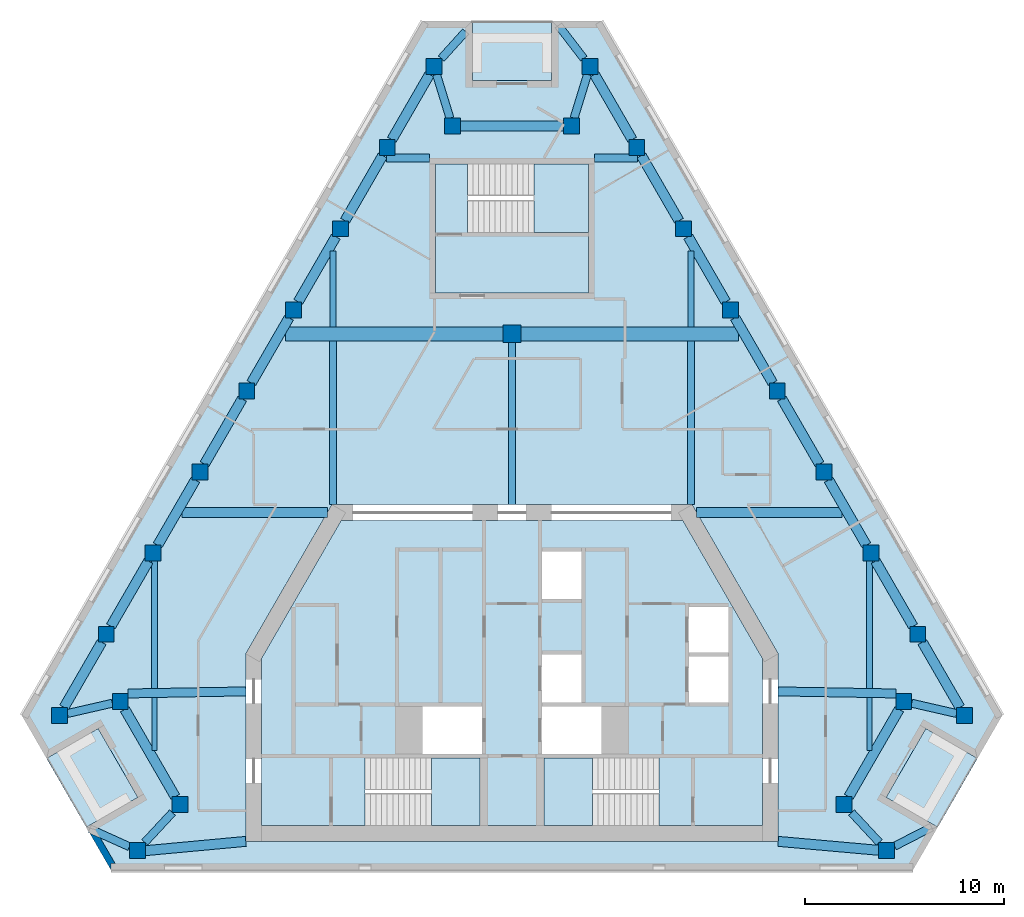
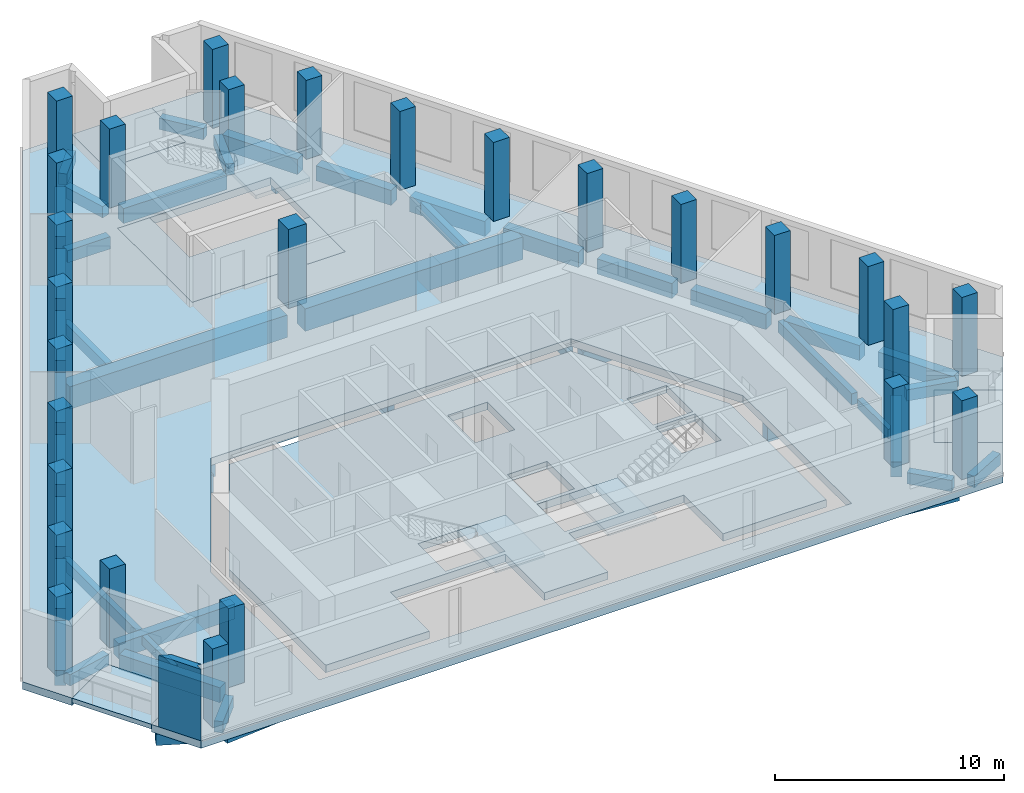
# One storey, part 1 of 8: 48 beams, 27 columns, 9 slabs, 1 wall, 3 elements without a shape of their own.
"""IFC4 building model written with IfcOpenShell, lengths in metres."""

import ifcopenshell
import ifcopenshell.guid

model = None  # the IFC model being written
_history = None  # IfcOwnerHistory: only IFC2X3 demands one
_inside = {}  # id of a spatial element -> (the spatial element, [elements in it])
_under = {}  # id of a project, library or spatial element -> (it, [spatial elements below it])
_declared = {}  # id of a project -> (the project, [libraries it declares])
_typed = {}  # id of a type object -> (the type object, [elements of that type])
_made_of = {}  # id of a material, layer set ... -> (it, [elements and type objects made of it])


def new_model(schema):
    """Start an empty IFC model of exactly this schema.

    Asked for "IFC4X3", IfcOpenShell would pick the latest addendum, in which some entities
    have other attributes; the version numbers below select the first issue.
    IFC2X3 requires an IfcOwnerHistory on every rooted entity: one is made here for all.
    """
    global model, _history
    if schema == "IFC4X3":
        model = ifcopenshell.file(schema_version=(4, 3, 0, 0))
    else:
        model = ifcopenshell.file(schema=schema)
    _inside.clear()
    _under.clear()
    _declared.clear()
    _typed.clear()
    _made_of.clear()
    _history = None
    if model.schema == "IFC2X3":
        org = make("IfcOrganization", Name="unknown")
        user = make(
            "IfcPersonAndOrganization",
            ThePerson=make("IfcPerson", FamilyName="unknown"),
            TheOrganization=org,
        )
        app = make(
            "IfcApplication",
            ApplicationDeveloper=org,
            Version="unknown",
            ApplicationFullName="unknown",
            ApplicationIdentifier="unknown",
        )
        _history = make(
            "IfcOwnerHistory",
            OwningUser=user,
            OwningApplication=app,
            ChangeAction="ADDED",
            CreationDate=0,
        )
    return model


def make(cls, **values):
    """One entity of the class cls with the attributes given. An attribute that is None is left unset."""
    return model.create_entity(
        cls, **{name: value for name, value in values.items() if value is not None}
    )


def rooted(cls, **values):
    """An entity with a GlobalId (a new one), such as an element, a storey or a relation."""
    return make(cls, GlobalId=ifcopenshell.guid.new(), OwnerHistory=_history, **values)


def si_unit(unit_type, name, prefix=None):
    """IfcSIUnit, for example si_unit("LENGTHUNIT", "METRE", prefix="MILLI")."""
    return make("IfcSIUnit", UnitType=unit_type, Prefix=prefix, Name=name)


def assignment(units):
    """IfcUnitAssignment: the units of a project."""
    return None if units is None else make("IfcUnitAssignment", Units=units)


def point(xyz):
    """IfcCartesianPoint."""
    return None if xyz is None else make("IfcCartesianPoint", Coordinates=xyz)


def direction(xyz):
    """IfcDirection."""
    return None if xyz is None else make("IfcDirection", DirectionRatios=xyz)


def frame(location, z_axis=None, x_axis=None):
    """IfcAxis2Placement3D, a coordinate frame: its origin and axes. An axis left out is left unset."""
    return make(
        "IfcAxis2Placement3D",
        Location=point(location),
        Axis=direction(z_axis),
        RefDirection=direction(x_axis),
    )


def frame_2d(location, x_axis=None):
    """IfcAxis2Placement2D, a coordinate frame in the plane: its origin and x axis."""
    return make(
        "IfcAxis2Placement2D", Location=point(location), RefDirection=direction(x_axis)
    )


def origin():
    """The frame at (0, 0, 0) with its axes left unset."""
    return frame((0.0, 0.0, 0.0))


def origin_2d():
    """The frame at (0, 0) in the plane with its x axis left unset."""
    return frame_2d((0.0, 0.0))


def place(relative_to, where):
    """IfcLocalPlacement: puts the frame where relative to a parent placement (None: the world)."""
    return make(
        "IfcLocalPlacement", PlacementRelTo=relative_to, RelativePlacement=where
    )


def context(
    kind, dimensions, precision=None, world=None, true_north=None, identifier=None
):
    """IfcGeometricRepresentationContext, for example the 3D "Model" context."""
    return make(
        "IfcGeometricRepresentationContext",
        ContextIdentifier=identifier,
        ContextType=kind,
        CoordinateSpaceDimension=dimensions,
        Precision=precision,
        WorldCoordinateSystem=world,
        TrueNorth=true_north,
    )


def subcontext(parent, identifier, kind, view, scale=None):
    """IfcGeometricRepresentationSubContext, for example "Body" below "Model"."""
    return make(
        "IfcGeometricRepresentationSubContext",
        ContextIdentifier=identifier,
        ContextType=kind,
        ParentContext=parent,
        TargetScale=scale,
        TargetView=view,
    )


def project(units=None, contexts=None):
    """IfcProject with its units and contexts."""
    return rooted(
        "IfcProject",
        Name="project",
        RepresentationContexts=contexts,
        UnitsInContext=assignment(units),
    )


def spatial(cls, under=None, at=None, **own):
    """A site, building, storey or space (cls), placed at a placement, below another one or the project."""
    s = rooted(cls, ObjectPlacement=at, **own)
    if under is not None:
        _under.setdefault(under.id(), (under, []))[1].append(s)
    return s


def polyline(points):
    """IfcPolyline through the points."""
    return make("IfcPolyline", Points=[point(p) for p in points])


def profile(cls, at=None, kind="AREA", **sizes):
    """A parametric profile (cls). Its sizes go by their IFC names, for example OverallWidth=200.0."""
    return make(cls, ProfileType=kind, Position=at, **sizes)


def rectangle(**sizes):
    """IfcRectangleProfileDef."""
    return profile("IfcRectangleProfileDef", **sizes)


def outline(outer, holes=None, kind="AREA"):
    """IfcArbitraryClosedProfileDef: a profile drawn as a closed curve; with holes, ...WithVoids."""
    if holes is None:
        return make("IfcArbitraryClosedProfileDef", ProfileType=kind, OuterCurve=outer)
    return make(
        "IfcArbitraryProfileDefWithVoids",
        ProfileType=kind,
        OuterCurve=outer,
        InnerCurves=holes,
    )


def extrude(swept, where, along, depth):
    """IfcExtrudedAreaSolid: the profile swept, set in the frame where, extruded along a direction by depth."""
    return make(
        "IfcExtrudedAreaSolid",
        SweptArea=swept,
        Position=where,
        ExtrudedDirection=direction(along),
        Depth=depth,
    )


def shape(context_of_items, identifier, shape_type, items):
    """IfcShapeRepresentation: the items that make up one representation, for example the "Body"."""
    return make(
        "IfcShapeRepresentation",
        ContextOfItems=context_of_items,
        RepresentationIdentifier=identifier,
        RepresentationType=shape_type,
        Items=items,
    )


def material(Name=None, Category=None):
    """IfcMaterial."""
    return make("IfcMaterial", Name=Name, Category=Category)


def layer(
    of_material, thickness, ventilated=None, Name=None, Category=None, Priority=None
):
    """IfcMaterialLayer: one layer of a wall or slab, of a material (None: an air gap)."""
    return make(
        "IfcMaterialLayer",
        Material=of_material,
        LayerThickness=thickness,
        IsVentilated=ventilated,
        Name=Name,
        Category=Category,
        Priority=Priority,
    )


def layer_set(layers, Name=None):
    """IfcMaterialLayerSet."""
    return make("IfcMaterialLayerSet", MaterialLayers=layers, LayerSetName=Name)


def material_profile(
    of_material, cross_section, Name=None, Category=None, Priority=None
):
    """IfcMaterialProfile: a cross section and its material."""
    return make(
        "IfcMaterialProfile",
        Name=Name,
        Material=of_material,
        Profile=cross_section,
        Priority=Priority,
        Category=Category,
    )


def profile_set(profiles, Name=None, composite=None):
    """IfcMaterialProfileSet."""
    return make(
        "IfcMaterialProfileSet",
        Name=Name,
        MaterialProfiles=profiles,
        CompositeProfile=composite,
    )


def made_of(thing, what):
    """Note that an element or type object is made of a material, layer set ...; save() writes the relation."""
    if what is not None:
        _made_of.setdefault(what.id(), (what, []))[1].append(thing)
    return thing


def type_object(cls, material=None, **own):
    """A type object (cls), such as IfcWallType, which elements share."""
    return made_of(rooted(cls, **own), material)


def element(
    cls,
    number,
    at=None,
    inside=None,
    cuts=None,
    type_object=None,
    material=None,
    context=None,
    identifier="Body",
    shape_type=None,
    held_by="IfcProductDefinitionShape",
    body=None,
    shapes=None,
    **own,
):
    """One element of the class cls, such as IfcWall. Its Tag is "e" and its number.

    at: its placement. inside: the storey or other place that contains it. cuts: it is an
    opening in that element (IfcRelVoidsElement). A single representation is given by context,
    identifier, shape_type and body (its items); several are given by shapes. held_by: the class
    of the entity that holds the representations. save() writes the other relations.
    """
    e = rooted(cls, Tag="e%d" % number, ObjectPlacement=at, **own)
    if body is not None:
        shapes = [shape(context, identifier, shape_type, body)]
    if shapes is not None:
        e.Representation = make(held_by, Representations=shapes)
    if inside is not None:
        _inside.setdefault(inside.id(), (inside, []))[1].append(e)
    if cuts is not None:
        rooted(
            "IfcRelVoidsElement", RelatingBuildingElement=cuts, RelatedOpeningElement=e
        )
    if type_object is not None:
        _typed.setdefault(type_object.id(), (type_object, []))[1].append(e)
    return made_of(e, material)


def aggregate(whole, parts):
    """IfcRelAggregates: a whole, such as a stair, and the parts it consists of."""
    return rooted("IfcRelAggregates", RelatingObject=whole, RelatedObjects=parts)


def save(model, path):
    """Write the relations noted so far, then the file.

    IfcRelAggregates (storeys below a building ...), IfcRelContainedInSpatialStructure (elements
    in a storey), IfcRelDefinesByType, IfcRelAssociatesMaterial and IfcRelDeclares: one each for
    every whole, place, type object, material and project.
    """
    for whole, parts in _under.values():
        aggregate(whole, parts)
    for where, things in _inside.values():
        rooted(
            "IfcRelContainedInSpatialStructure",
            RelatedElements=things,
            RelatingStructure=where,
        )
    for kind, things in _typed.values():
        rooted("IfcRelDefinesByType", RelatedObjects=things, RelatingType=kind)
    for what, things in _made_of.values():
        rooted("IfcRelAssociatesMaterial", RelatedObjects=things, RelatingMaterial=what)
    for by, libraries in _declared.values():
        rooted("IfcRelDeclares", RelatingContext=by, RelatedDefinitions=libraries)
    model.write(path)


model = new_model("IFC4")

# Units and contexts
model_context = context("Model", 3, precision=1e-05, world=origin(), true_north=direction((0.0, 1.0)))
body_context = subcontext(model_context, "Body", "Model", "MODEL_VIEW")
ifc_project = project(units=[si_unit("LENGTHUNIT", "METRE"), si_unit("AREAUNIT", "SQUARE_METRE"), si_unit("VOLUMEUNIT", "CUBIC_METRE"), si_unit("PLANEANGLEUNIT", "RADIAN"), si_unit("MASSUNIT", "GRAM", prefix="KILO")], contexts=[model_context])

# Site, building, storey
site_placement = place(None, origin())
site = spatial("IfcSite", under=ifc_project, at=site_placement, CompositionType="ELEMENT")
building_placement = place(site_placement, origin())
building = spatial("IfcBuilding", under=site, at=building_placement, Name="Fogline Exchange Tower", CompositionType="ELEMENT")
storey_placement = place(building_placement, frame((0.0, 0.0, 309.89990234375)))
storey = spatial("IfcBuildingStorey", under=building, at=storey_placement, Name="L70", CompositionType="ELEMENT", Elevation=309.89990234375)

# Columns
ifc_material_1 = material(Name="Concrete C60", Category="concrete")
ifc_material_profile_1 = material_profile(ifc_material_1, rectangle(XDim=0.89990234375, YDim=0.89990234375, at=origin_2d()), Name="RC 900x900")
ifc_profile_set_1 = profile_set([ifc_material_profile_1], Name="Concrete C60")
column_type_1 = type_object("IfcColumnType", Name="C06", PredefinedType="COLUMN", material=ifc_profile_set_1)
column_placement = place(storey_placement, frame((0.0, 27.0, 0.0), z_axis=(0.0, 0.0, 1.0), x_axis=(1.0, 0.0, 0.0)))
element("IfcColumn", 1, at=column_placement, inside=storey, type_object=column_type_1, Name="IC-0-27", PredefinedType="COLUMN", context=body_context, shape_type="SweptSolid", body=[
    extrude(rectangle(XDim=0.89990234375, YDim=0.89990234375, at=origin_2d()), origin(), (0.0, 0.0, 1.0), 4.2001953125),
])
ifc_material_profile_2 = material_profile(ifc_material_1, rectangle(XDim=0.800048828125, YDim=0.800048828125, at=origin_2d()), Name="RC 800x800")
ifc_profile_set_2 = profile_set([ifc_material_profile_2], Name="Concrete C60")
column_type_2 = type_object("IfcColumnType", Name="C07", PredefinedType="COLUMN", material=ifc_profile_set_2)
for number, where, z_axis, x_axis, name in (
    (2, (-22.7802734375, 7.794189453125, 0.0), (0.0, 0.0, 1.0), (1.0, 0.0, 0.0), "SW-a"),
    (3, (-19.720947265625, 8.4951171875, 0.0), (0.0, 0.0, 1.0), (1.0, 0.0, 0.0), "SW-p4"),
    (4, (-16.720947265625, 3.299072265625, 0.0), (0.0, 0.0, 1.0), (1.0, 0.0, 0.0), "SW-p3"),
    (5, (-18.857666015625, 1.0, 0.0), (0.0, 0.0, 1.0), (1.0, 0.0, 0.0), "SW-b"),
    (6, (18.857666015625, 1.0, 0.0), (0.0, 0.0, 1.0), (1.0, 0.0, 0.0), "SE-a"),
    (7, (16.720947265625, 3.299072265625, 0.0), (0.0, 0.0, 1.0), (1.0, 0.0, 0.0), "SE-p4"),
    (8, (19.720947265625, 8.4951171875, 0.0), (0.0, 0.0, 1.0), (1.0, 0.0, 0.0), "SE-p3"),
    (9, (22.7802734375, 7.794189453125, 0.0), (0.0, 0.0, 1.0), (1.0, 0.0, 0.0), "SE-b"),
    (10, (20.423095703125, 11.876953125, 0.0), (0.0, 0.0, 1.0), (1.0, 0.0, 0.0), "E1"),
    (11, (18.06591796875, 15.959716796875, 0.0), (0.0, 0.0, 1.0), (1.0, 0.0, 0.0), "E2"),
    (12, (15.708740234375, 20.04248046875, 0.0), (0.0, 0.0, 1.0), (1.0, 0.0, 0.0), "E3"),
    (13, (13.3515625, 24.12548828125, 0.0), (0.0, 0.0, 1.0), (1.0, 0.0, 0.0), "E4"),
    (14, (10.994384765625, 28.208251953125, 0.0), (0.0, 0.0, 1.0), (1.0, 0.0, 0.0), "E5"),
    (15, (8.63720703125, 32.291015625, 0.0), (0.0, 0.0, 1.0), (1.0, 0.0, 0.0), "E6"),
    (16, (6.27978515625, 36.373779296875, 0.0), (0.0, 0.0, 1.0), (1.0, 0.0, 0.0), "E7"),
    (17, (3.922607421875, 40.456787109375, 0.0), (0.0, 0.0, 1.0), (1.0, 0.0, 0.0), "N-a"),
    (18, (3.0, 37.456787109375, 0.0), (0.0, 0.0, 1.0), (1.0, 0.0, 0.0), "N-p4"),
    (19, (-3.0, 37.456787109375, 0.0), (0.0, 0.0, 1.0), (1.0, 0.0, 0.0), "N-p3"),
    (20, (-3.922607421875, 40.456787109375, 0.0), (0.0, 0.0, 1.0), (1.0, 0.0, 0.0), "N-b"),
    (21, (-6.27978515625, 36.373779296875, 0.0), (0.0, 0.0, 1.0), (1.0, 0.0, 0.0), "W1"),
    (22, (-8.63720703125, 32.291015625, 0.0), (0.0, 0.0, 1.0), (1.0, 0.0, 0.0), "W2"),
    (23, (-10.994384765625, 28.208251953125, 0.0), (0.0, 0.0, 1.0), (1.0, 0.0, 0.0), "W3"),
    (24, (-13.3515625, 24.12548828125, 0.0), (0.0, 0.0, 1.0), (1.0, 0.0, 0.0), "W4"),
    (25, (-15.708740234375, 20.04248046875, 0.0), (0.0, 0.0, 1.0), (1.0, 0.0, 0.0), "W5"),
    (26, (-18.06591796875, 15.959716796875, 0.0), (0.0, 0.0, 1.0), (1.0, 0.0, 0.0), "W6"),
    (27, (-20.423095703125, 11.876953125, 0.0), (0.0, 0.0, 1.0), (1.0, 0.0, 0.0), "W7"),
):
    element("IfcColumn", number, at=place(storey_placement, frame(where, z_axis=z_axis, x_axis=x_axis)), inside=storey, type_object=column_type_2, Name=name, PredefinedType="COLUMN", context=body_context, shape_type="SweptSolid", body=[
        extrude(rectangle(XDim=0.800048828125, YDim=0.800048828125, at=origin_2d()), origin(), (0.0, 0.0, 1.0), 4.2001953125),
    ])

# Beams
ifc_material_2 = material(Name="Concrete C40", Category="concrete")
ifc_material_profile_3 = material_profile(ifc_material_2, rectangle(XDim=0.300048828125, YDim=0.60009765625, at=origin_2d()), Name="RC 300x600")
ifc_profile_set_3 = profile_set([ifc_material_profile_3], Name="Concrete C40")
beam_type_1 = type_object("IfcBeamType", Name="B06", PredefinedType="BEAM", material=ifc_profile_set_3)
beam_1_placement = place(storey_placement, frame((-18.0, 9.1435546875, -0.699951171875), z_axis=(0.0, 1.0, 0.0), x_axis=(-1.0, 0.0, 0.0)))
element("IfcBeam", 28, at=beam_1_placement, inside=storey, type_object=beam_type_1, Name="SB002", PredefinedType="BEAM", context=body_context, shape_type="SweptSolid", body=[
    extrude(rectangle(XDim=0.300048828125, YDim=0.60009765625, at=origin_2d()), origin(), (0.0, 0.0, 1.0), 6.416259765625),
])
for number, where, z_axis, x_axis, name in (
    (29, (-9.0, 27.35009765625, -0.699951171875), (0.0, 1.0, 0.0), (-1.0, 0.0, 0.0), "SB004"),
    (30, (9.0, 27.35009765625, -0.699951171875), (0.0, 1.0, 0.0), (-1.0, 0.0, 0.0), "SB007"),
):
    element("IfcBeam", number, at=place(storey_placement, frame(where, z_axis=z_axis, x_axis=x_axis)), inside=storey, type_object=beam_type_1, Name=name, PredefinedType="BEAM", context=body_context, shape_type="SweptSolid", body=[
        extrude(rectangle(XDim=0.300048828125, YDim=0.60009765625, at=origin_2d()), origin(), (0.0, 0.0, 1.0), 3.812255859375),
    ])
beam_2_placement = place(storey_placement, frame((18.0, 9.1435546875, -0.699951171875), z_axis=(0.0, 1.0, 0.0), x_axis=(-1.0, 0.0, 0.0)))
element("IfcBeam", 31, at=beam_2_placement, inside=storey, type_object=beam_type_1, Name="SB009", PredefinedType="BEAM", context=body_context, shape_type="SweptSolid", body=[
    extrude(rectangle(XDim=0.300048828125, YDim=0.60009765625, at=origin_2d()), origin(), (0.0, 0.0, 1.0), 6.416259765625),
])
ifc_material_profile_4 = material_profile(ifc_material_2, rectangle(XDim=0.25, YDim=0.5, at=origin_2d()), Name="RC 250x500")
ifc_profile_set_4 = profile_set([ifc_material_profile_4], Name="Concrete C40")
beam_type_2 = type_object("IfcBeamType", Name="B08", PredefinedType="BEAM", material=ifc_profile_set_4)
for number, where, z_axis, x_axis, name in (
    (32, (-18.0, 6.014404296875, -0.64990234375), (0.0, 1.0, 0.0), (-1.0, 0.0, 0.0), "SB001"),
    (33, (18.0, 6.014404296875, -0.64990234375), (0.0, 1.0, 0.0), (-1.0, 0.0, 0.0), "SB008"),
):
    element("IfcBeam", number, at=place(storey_placement, frame(where, z_axis=z_axis, x_axis=x_axis)), inside=storey, type_object=beam_type_2, Name=name, PredefinedType="BEAM", context=body_context, shape_type="SweptSolid", body=[
        extrude(rectangle(XDim=0.25, YDim=0.5, at=origin_2d()), origin(), (0.0, 0.0, 1.0), 2.67919921875),
    ])
ifc_material_profile_5 = material_profile(ifc_material_2, rectangle(XDim=0.5, YDim=0.800048828125, at=origin_2d()), Name="RC 500x800")
ifc_profile_set_5 = profile_set([ifc_material_profile_5], Name="Concrete C40")
beam_type_3 = type_object("IfcBeamType", Name="B10", PredefinedType="BEAM", material=ifc_profile_set_5)
beam_3_placement = place(storey_placement, frame((-19.489990234375, 8.09521484375, -0.7998046875), z_axis=(0.499987508774, -0.866032615477, 0.0), x_axis=(0.866032615477, 0.499987508774, 0.0)))
element("IfcBeam", 34, at=beam_3_placement, inside=storey, type_object=beam_type_3, Name="RB002", PredefinedType="BEAM", context=body_context, shape_type="SweptSolid", body=[
    extrude(rectangle(XDim=0.5, YDim=0.800048828125, at=origin_2d()), origin(), (0.0, 0.0, 1.0), 5.076416015625),
])
beam_4_placement = place(storey_placement, frame((-18.457763671875, 0.981689453125, -0.7998046875), z_axis=(0.995741736268, 0.092186737952, 0.0), x_axis=(-0.092186737952, 0.995741736268, 0.0)))
element("IfcBeam", 35, at=beam_4_placement, inside=storey, type_object=beam_type_3, Name="RB004", PredefinedType="BEAM", context=body_context, shape_type="SweptSolid", body=[
    extrude(rectangle(XDim=0.5, YDim=0.800048828125, at=origin_2d()), origin(), (0.0, 0.0, 1.0), 5.07958984375),
])
beam_5_placement = place(storey_placement, frame((13.39990234375, 1.449951171875, -0.7998046875), z_axis=(0.996066324908, -0.088610814153, 0.0), x_axis=(0.088610814153, 0.996066324908, 0.0)))
element("IfcBeam", 36, at=beam_5_placement, inside=storey, type_object=beam_type_3, Name="RB005", PredefinedType="BEAM", context=body_context, shape_type="SweptSolid", body=[
    extrude(rectangle(XDim=0.5, YDim=0.800048828125, at=origin_2d()), origin(), (0.0, 0.0, 1.0), 5.077880859375),
])
beam_6_placement = place(storey_placement, frame((16.951904296875, 3.698974609375, -0.7998046875), z_axis=(0.499987508774, 0.866032615477, 0.0), x_axis=(-0.866032615477, 0.499987508774, 0.0)))
element("IfcBeam", 37, at=beam_6_placement, inside=storey, type_object=beam_type_3, Name="RB007", PredefinedType="BEAM", context=body_context, shape_type="SweptSolid", body=[
    extrude(rectangle(XDim=0.5, YDim=0.800048828125, at=origin_2d()), origin(), (0.0, 0.0, 1.0), 5.076416015625),
])
beam_7_placement = place(storey_placement, frame((22.54931640625, 8.194091796875, -0.7998046875), z_axis=(-0.499969613651, 0.86604294664, 0.0), x_axis=(-0.86604294664, -0.499969613651, 0.0)))
element("IfcBeam", 38, at=beam_7_placement, inside=storey, type_object=beam_type_3, Name="RB009", PredefinedType="BEAM", context=body_context, shape_type="SweptSolid", body=[
    extrude(rectangle(XDim=0.5, YDim=0.800048828125, at=origin_2d()), origin(), (0.0, 0.0, 1.0), 3.790771484375),
])
for number, where, z_axis, x_axis, name in (
    (39, (20.192138671875, 12.277099609375, -0.7998046875), (-0.499997501644, 0.866026846206, 0.0), (-0.866026846206, -0.499997501644, 0.0), "RB010"),
    (40, (17.8349609375, 16.35986328125, -0.7998046875), (-0.499997501644, 0.866026846206, 0.0), (-0.866026846206, -0.499997501644, 0.0), "RB011"),
    (41, (15.477783203125, 20.442626953125, -0.7998046875), (-0.499997501644, 0.866026846206, 0.0), (-0.866026846206, -0.499997501644, 0.0), "RB012"),
):
    element("IfcBeam", number, at=place(storey_placement, frame(where, z_axis=z_axis, x_axis=x_axis)), inside=storey, type_object=beam_type_3, Name=name, PredefinedType="BEAM", context=body_context, shape_type="SweptSolid", body=[
        extrude(rectangle(XDim=0.5, YDim=0.800048828125, at=origin_2d()), origin(), (0.0, 0.0, 1.0), 3.79052734375),
    ])
for number, where, z_axis, x_axis, name in (
    (42, (13.12060546875, 24.525390625, -0.7998046875), (-0.500045805297, 0.865998956469, 0.0), (-0.865998956469, -0.500045805297, 0.0), "RB013"),
    (43, (10.76318359375, 28.608154296875, -0.7998046875), (-0.499969613651, 0.86604294664, 0.0), (-0.86604294664, -0.499969613651, 0.0), "RB014"),
    (44, (8.406005859375, 32.69091796875, -0.7998046875), (-0.499969613651, 0.86604294664, 0.0), (-0.86604294664, -0.499969613651, 0.0), "RB015"),
    (45, (6.048828125, 36.773681640625, -0.7998046875), (-0.499969613651, 0.86604294664, 0.0), (-0.86604294664, -0.499969613651, 0.0), "RB016"),
):
    element("IfcBeam", number, at=place(storey_placement, frame(where, z_axis=z_axis, x_axis=x_axis)), inside=storey, type_object=beam_type_3, Name=name, PredefinedType="BEAM", context=body_context, shape_type="SweptSolid", body=[
        extrude(rectangle(XDim=0.5, YDim=0.800048828125, at=origin_2d()), origin(), (0.0, 0.0, 1.0), 3.790771484375),
    ])
beam_8_placement = place(storey_placement, frame((2.60009765625, 37.456787109375, -0.7998046875), z_axis=(-1.0, 0.0, 0.0), x_axis=(0.0, -1.0, 0.0)))
element("IfcBeam", 46, at=beam_8_placement, inside=storey, type_object=beam_type_3, Name="RB018", PredefinedType="BEAM", context=body_context, shape_type="SweptSolid", body=[
    extrude(rectangle(XDim=0.5, YDim=0.800048828125, at=origin_2d()), origin(), (0.0, 0.0, 1.0), 5.2001953125),
])
for number, where, z_axis, x_axis, name in (
    (47, (-4.153564453125, 40.056640625, -0.7998046875), (-0.499969613651, -0.86604294664, 0.0), (0.86604294664, -0.499969613651, 0.0), "RB020"),
    (48, (-6.5107421875, 35.973876953125, -0.7998046875), (-0.499969613651, -0.86604294664, 0.0), (0.86604294664, -0.499969613651, 0.0), "RB021"),
    (49, (-8.867919921875, 31.89111328125, -0.7998046875), (-0.499969613651, -0.86604294664, 0.0), (0.86604294664, -0.499969613651, 0.0), "RB022"),
    (50, (-11.22509765625, 27.80810546875, -0.7998046875), (-0.500045805297, -0.865998956469, 0.0), (0.865998956469, -0.500045805297, 0.0), "RB023"),
):
    element("IfcBeam", number, at=place(storey_placement, frame(where, z_axis=z_axis, x_axis=x_axis)), inside=storey, type_object=beam_type_3, Name=name, PredefinedType="BEAM", context=body_context, shape_type="SweptSolid", body=[
        extrude(rectangle(XDim=0.5, YDim=0.800048828125, at=origin_2d()), origin(), (0.0, 0.0, 1.0), 3.790771484375),
    ])
for number, where, z_axis, x_axis, name in (
    (51, (-13.58251953125, 23.725341796875, -0.7998046875), (-0.499997501644, -0.866026846206, 0.0), (0.866026846206, -0.499997501644, 0.0), "RB024"),
    (52, (-15.939697265625, 19.642578125, -0.7998046875), (-0.499997501644, -0.866026846206, 0.0), (0.866026846206, -0.499997501644, 0.0), "RB025"),
    (53, (-18.296875, 15.559814453125, -0.7998046875), (-0.499997501644, -0.866026846206, 0.0), (0.866026846206, -0.499997501644, 0.0), "RB026"),
):
    element("IfcBeam", number, at=place(storey_placement, frame(where, z_axis=z_axis, x_axis=x_axis)), inside=storey, type_object=beam_type_3, Name=name, PredefinedType="BEAM", context=body_context, shape_type="SweptSolid", body=[
        extrude(rectangle(XDim=0.5, YDim=0.800048828125, at=origin_2d()), origin(), (0.0, 0.0, 1.0), 3.79052734375),
    ])
beam_9_placement = place(storey_placement, frame((-20.654052734375, 11.47705078125, -0.7998046875), z_axis=(-0.499969613651, -0.86604294664, 0.0), x_axis=(0.86604294664, -0.499969613651, 0.0)))
element("IfcBeam", 54, at=beam_9_placement, inside=storey, type_object=beam_type_3, Name="RB027", PredefinedType="BEAM", context=body_context, shape_type="SweptSolid", body=[
    extrude(rectangle(XDim=0.5, YDim=0.800048828125, at=origin_2d()), origin(), (0.0, 0.0, 1.0), 3.790771484375),
])
ifc_material_profile_6 = material_profile(ifc_material_2, rectangle(XDim=0.39990234375, YDim=0.60009765625, at=origin_2d()), Name="RC 400x600")
ifc_profile_set_6 = profile_set([ifc_material_profile_6], Name="Concrete C40")
beam_type_4 = type_object("IfcBeamType", Name="B11", PredefinedType="BEAM", material=ifc_profile_set_6)
beam_10_placement = place(storey_placement, frame((-22.38037109375, 7.885986328125, -0.699951171875), z_axis=(0.974753812703, 0.223282342834, 0.0), x_axis=(-0.223282342834, 0.974753812703, 0.0)))
element("IfcBeam", 55, at=beam_10_placement, inside=storey, type_object=beam_type_4, Name="RB001", PredefinedType="BEAM", context=body_context, shape_type="SweptSolid", body=[
    extrude(rectangle(XDim=0.39990234375, YDim=0.60009765625, at=origin_2d()), origin(), (0.0, 0.0, 1.0), 2.318115234375),
])
for number, where, z_axis, x_axis, name in (
    (56, (-17.0927734375, 2.89892578125, -0.699951171875), (-0.680743909802, -0.732521487239, 0.0), (0.732521487239, -0.680743909802, 0.0), "RB003"),
    (57, (18.48583984375, 1.39990234375, -0.699951171875), (-0.680743909802, 0.732521487239, 0.0), (-0.732521487239, -0.680743909802, 0.0), "RB006"),
):
    element("IfcBeam", number, at=place(storey_placement, frame(where, z_axis=z_axis, x_axis=x_axis)), inside=storey, type_object=beam_type_4, Name=name, PredefinedType="BEAM", context=body_context, shape_type="SweptSolid", body=[
        extrude(rectangle(XDim=0.39990234375, YDim=0.60009765625, at=origin_2d()), origin(), (0.0, 0.0, 1.0), 2.04638671875),
    ])
beam_11_placement = place(storey_placement, frame((20.120849609375, 8.403564453125, -0.699951171875), z_axis=(0.974753812703, -0.223282342834, 0.0), x_axis=(0.223282342834, 0.974753812703, 0.0)))
element("IfcBeam", 58, at=beam_11_placement, inside=storey, type_object=beam_type_4, Name="RB008", PredefinedType="BEAM", context=body_context, shape_type="SweptSolid", body=[
    extrude(rectangle(XDim=0.39990234375, YDim=0.60009765625, at=origin_2d()), origin(), (0.0, 0.0, 1.0), 2.318115234375),
])
for number, where, z_axis, x_axis, name in (
    (59, (3.799560546875, 40.056640625, -0.699951171875), (-0.293929314998, -0.955827158949, 0.0), (0.955827158949, -0.293929314998, 0.0), "RB017"),
    (60, (-3.123046875, 37.856689453125, -0.699951171875), (-0.293929314998, 0.955827158949, 0.0), (-0.955827158949, -0.293929314998, 0.0), "RB019"),
):
    element("IfcBeam", number, at=place(storey_placement, frame(where, z_axis=z_axis, x_axis=x_axis)), inside=storey, type_object=beam_type_4, Name=name, PredefinedType="BEAM", context=body_context, shape_type="SweptSolid", body=[
        extrude(rectangle(XDim=0.39990234375, YDim=0.60009765625, at=origin_2d()), origin(), (0.0, 0.0, 1.0), 2.301513671875),
    ])
beam_12_placement = place(storey_placement, frame((3.61572265625, 40.856689453125, -0.699951171875), z_axis=(-0.608725000028, 0.793381291903, 0.0), x_axis=(-0.793381291903, -0.608725000028, 0.0)))
element("IfcBeam", 61, at=beam_12_placement, inside=storey, type_object=beam_type_4, Name="SP028", PredefinedType="BEAM", context=body_context, shape_type="SweptSolid", body=[
    extrude(rectangle(XDim=0.39990234375, YDim=0.60009765625, at=origin_2d()), origin(), (0.0, 0.0, 1.0), 2.095703125),
])
beam_13_placement = place(storey_placement, frame((-3.5615234375, 40.856689453125, -0.699951171875), z_axis=(0.670231736152, 0.742151884626, 0.0), x_axis=(-0.742151884626, 0.670231736152, 0.0)))
element("IfcBeam", 62, at=beam_13_placement, inside=storey, type_object=beam_type_4, Name="SP029", PredefinedType="BEAM", context=body_context, shape_type="SweptSolid", body=[
    extrude(rectangle(XDim=0.39990234375, YDim=0.60009765625, at=origin_2d()), origin(), (0.0, 0.0, 1.0), 1.82958984375),
])
beam_14_placement = place(storey_placement, frame((-19.2578125, 1.1806640625, -0.699951171875), z_axis=(-0.911432419254, 0.411449808765, 0.0), x_axis=(-0.411449808765, -0.911432419254, 0.0)))
element("IfcBeam", 63, at=beam_14_placement, inside=storey, type_object=beam_type_4, Name="SP030", PredefinedType="BEAM", context=body_context, shape_type="SweptSolid", body=[
    extrude(rectangle(XDim=0.39990234375, YDim=0.60009765625, at=origin_2d()), origin(), (0.0, 0.0, 1.0), 2.19775390625),
])
beam_15_placement = place(storey_placement, frame((19.2578125, 1.205810546875, -0.699951171875), z_axis=(0.889100961616, 0.457711131668, 0.0), x_axis=(-0.457711131668, 0.889100961616, 0.0)))
element("IfcBeam", 64, at=beam_15_placement, inside=storey, type_object=beam_type_4, Name="SP031", PredefinedType="BEAM", context=body_context, shape_type="SweptSolid", body=[
    extrude(rectangle(XDim=0.39990234375, YDim=0.60009765625, at=origin_2d()), origin(), (0.0, 0.0, 1.0), 2.09619140625),
])
ifc_material_profile_7 = material_profile(ifc_material_2, rectangle(XDim=0.39990234375, YDim=0.64990234375, at=origin_2d()), Name="RC 400x650")
ifc_profile_set_7 = profile_set([ifc_material_profile_7], Name="Concrete C40")
beam_type_5 = type_object("IfcBeamType", Name="B13", PredefinedType="BEAM", material=ifc_profile_set_7)
for number, where, z_axis, x_axis, name in (
    (65, (-6.308349609375, 35.85693359375, -0.724853515625), (1.0, 0.0, 0.0), (0.0, 1.0, 0.0), "GB007"),
    (66, (4.14990234375, 35.85693359375, -0.724853515625), (1.0, 0.0, 0.0), (0.0, 1.0, 0.0), "GB008"),
):
    element("IfcBeam", number, at=place(storey_placement, frame(where, z_axis=z_axis, x_axis=x_axis)), inside=storey, type_object=beam_type_5, Name=name, PredefinedType="BEAM", context=body_context, shape_type="SweptSolid", body=[
        extrude(rectangle(XDim=0.39990234375, YDim=0.64990234375, at=origin_2d()), origin(), (0.0, 0.0, 1.0), 2.158447265625),
    ])
ifc_material_profile_8 = material_profile(ifc_material_2, rectangle(XDim=0.5, YDim=0.949951171875, at=origin_2d()), Name="RC 500x950")
ifc_profile_set_8 = profile_set([ifc_material_profile_8], Name="Concrete C40")
beam_type_6 = type_object("IfcBeamType", Name="B14", PredefinedType="BEAM", material=ifc_profile_set_8)
for number, where, z_axis, x_axis, name in (
    (67, (-16.599365234375, 18.0, -0.875), (1.0, 0.0, 0.0), (0.0, 1.0, 0.0), "GB003"),
    (68, (9.296142578125, 18.0, -0.875), (1.0, 0.0, 0.0), (0.0, 1.0, 0.0), "GB004"),
):
    element("IfcBeam", number, at=place(storey_placement, frame(where, z_axis=z_axis, x_axis=x_axis)), inside=storey, type_object=beam_type_6, Name=name, PredefinedType="BEAM", context=body_context, shape_type="SweptSolid", body=[
        extrude(rectangle(XDim=0.5, YDim=0.949951171875, at=origin_2d()), origin(), (0.0, 0.0, 1.0), 7.30322265625),
    ])
ifc_material_profile_9 = material_profile(ifc_material_2, rectangle(XDim=0.35009765625, YDim=0.64990234375, at=origin_2d()), Name="RC 350x650")
ifc_profile_set_9 = profile_set([ifc_material_profile_9], Name="Concrete C40")
beam_type_7 = type_object("IfcBeamType", Name="B16", PredefinedType="BEAM", material=ifc_profile_set_9)
beam_16_placement = place(storey_placement, frame((-9.0, 18.39990234375, -0.724853515625), z_axis=(0.0, 1.0, 0.0), x_axis=(-1.0, 0.0, 0.0)))
element("IfcBeam", 69, at=beam_16_placement, inside=storey, type_object=beam_type_7, Name="SB003", PredefinedType="BEAM", context=body_context, shape_type="SweptSolid", body=[
    extrude(rectangle(XDim=0.35009765625, YDim=0.64990234375, at=origin_2d()), origin(), (0.0, 0.0, 1.0), 8.25),
])
beam_17_placement = place(storey_placement, frame((0.0, 18.39990234375, -0.724853515625), z_axis=(0.0, 1.0, 0.0), x_axis=(-1.0, 0.0, 0.0)))
element("IfcBeam", 70, at=beam_17_placement, inside=storey, type_object=beam_type_7, Name="SB005", PredefinedType="BEAM", context=body_context, shape_type="SweptSolid", body=[
    extrude(rectangle(XDim=0.35009765625, YDim=0.64990234375, at=origin_2d()), origin(), (0.0, 0.0, 1.0), 8.150146484375),
])
beam_18_placement = place(storey_placement, frame((9.0, 18.39990234375, -0.724853515625), z_axis=(0.0, 1.0, 0.0), x_axis=(-1.0, 0.0, 0.0)))
element("IfcBeam", 71, at=beam_18_placement, inside=storey, type_object=beam_type_7, Name="SB006", PredefinedType="BEAM", context=body_context, shape_type="SweptSolid", body=[
    extrude(rectangle(XDim=0.35009765625, YDim=0.64990234375, at=origin_2d()), origin(), (0.0, 0.0, 1.0), 8.25),
])
ifc_material_profile_10 = material_profile(ifc_material_2, rectangle(XDim=0.699951171875, YDim=1.199951171875, at=origin_2d()), Name="RC 700x1200")
ifc_profile_set_10 = profile_set([ifc_material_profile_10], Name="Concrete C40")
beam_type_8 = type_object("IfcBeamType", Name="B17", PredefinedType="BEAM", material=ifc_profile_set_10)
for number, where, z_axis, x_axis, name in (
    (72, (-11.4033203125, 27.0, -1.0), (1.0, 0.0, 0.0), (0.0, 1.0, 0.0), "GB005"),
    (73, (0.449951171875, 27.0, -1.0), (1.0, 0.0, 0.0), (0.0, 1.0, 0.0), "GB006"),
):
    element("IfcBeam", number, at=place(storey_placement, frame(where, z_axis=z_axis, x_axis=x_axis)), inside=storey, type_object=beam_type_8, Name=name, PredefinedType="BEAM", context=body_context, shape_type="SweptSolid", body=[
        extrude(rectangle(XDim=0.699951171875, YDim=1.199951171875, at=origin_2d()), origin(), (0.0, 0.0, 1.0), 10.953369140625),
    ])
ifc_material_profile_11 = material_profile(ifc_material_2, rectangle(XDim=0.449951171875, YDim=0.800048828125, at=origin_2d()), Name="RC 450x800")
ifc_profile_set_11 = profile_set([ifc_material_profile_11], Name="Concrete C40")
beam_type_9 = type_object("IfcBeamType", Name="B18", PredefinedType="BEAM", material=ifc_profile_set_11)
for number, where, z_axis, x_axis, name in (
    (74, (-19.32080078125, 8.895263671875, -0.7998046875), (0.9998435817, 0.017686495817, 0.0), (-0.017686495817, 0.9998435817, 0.0), "GB001"),
    (75, (13.39990234375, 9.0, -0.7998046875), (0.9998435817, -0.017686495817, 0.0), (0.017686495817, 0.9998435817, 0.0), "GB002"),
):
    element("IfcBeam", number, at=place(storey_placement, frame(where, z_axis=z_axis, x_axis=x_axis)), inside=storey, type_object=beam_type_9, Name=name, PredefinedType="BEAM", context=body_context, shape_type="SweptSolid", body=[
        extrude(rectangle(XDim=0.449951171875, YDim=0.800048828125, at=origin_2d()), origin(), (0.0, 0.0, 1.0), 5.921875),
    ])

# Slabs
ifc_layer_1 = layer(ifc_material_2, 0.25)
ifc_layer_set_1 = layer_set([ifc_layer_1], Name="DK1")
slab_type_1 = type_object("IfcSlabType", Name="DK1", PredefinedType="FLOOR", material=ifc_layer_set_1)
slab_1_placement = place(storey_placement, frame((0.0, 0.0, -0.25)))
element("IfcSlab", 76, at=slab_1_placement, inside=storey, type_object=slab_type_1, Name="Balcony L70 SW", PredefinedType="FLOOR", context=body_context, shape_type="SweptSolid", body=[
    extrude(outline(polyline([(-23.4296875, 5.629150390625), (-21.4296875, 2.1650390625), (-18.831787109375, 3.6650390625), (-20.831787109375, 7.129150390625), (-23.4296875, 5.629150390625)])), origin(), (0.0, 0.0, 1.0), 0.25),
])
slab_2_placement = place(storey_placement, frame((0.0, 0.0, -0.25)))
element("IfcSlab", 77, at=slab_2_placement, inside=storey, type_object=slab_type_1, Name="Balcony L70 SE", PredefinedType="FLOOR", context=body_context, shape_type="SweptSolid", body=[
    extrude(outline(polyline([(21.4296875, 2.1650390625), (23.4296875, 5.629150390625), (20.831787109375, 7.129150390625), (18.831787109375, 3.6650390625), (21.4296875, 2.1650390625)])), origin(), (0.0, 0.0, 1.0), 0.25),
])
slab_3_placement = place(storey_placement, frame((0.0, 0.0, -0.25)))
element("IfcSlab", 78, at=slab_3_placement, inside=storey, type_object=slab_type_1, Name="Balcony L70 N", PredefinedType="FLOOR", context=body_context, shape_type="SweptSolid", body=[
    extrude(outline(polyline([(2.0, 42.74658203125), (-2.0, 42.74658203125), (-2.0, 39.74658203125), (2.0, 39.74658203125), (2.0, 42.74658203125)])), origin(), (0.0, 0.0, 1.0), 0.25),
])
ifc_layer_2 = layer(ifc_material_2, 0.39990234375)
ifc_layer_set_2 = layer_set([ifc_layer_2], Name="S03")
slab_type_2 = type_object("IfcSlabType", Name="S03", PredefinedType="FLOOR", material=ifc_layer_set_2)
slab_4_placement = place(storey_placement, frame((0.0, 0.0, -0.39990234375)))
element("IfcSlab", 79, at=slab_4_placement, inside=storey, type_object=slab_type_2, Name="SLAB L70", PredefinedType="FLOOR", context=body_context, shape_type="SweptSolid", body=[
    extrude(outline(polyline([(-2.0, 42.74658203125), (-4.5, 42.74658203125), (-24.6796875, 7.794189453125), (-23.4296875, 5.629150390625), (-20.831787109375, 7.129150390625), (-18.831787109375, 3.6650390625), (-21.4296875, 2.1650390625), (-20.1796875, 0.0), (20.1796875, 0.0), (21.4296875, 2.1650390625), (18.831787109375, 3.6650390625), (20.831787109375, 7.129150390625), (23.4296875, 5.629150390625), (24.6796875, 7.794189453125), (4.5, 42.74658203125), (2.0, 42.74658203125), (2.0, 39.74658203125), (-2.0, 39.74658203125), (-2.0, 42.74658203125)]), holes=[polyline([(13.39990234375, 10.891845703125), (13.39990234375, 1.449951171875), (-13.39990234375, 1.449951171875), (-13.39990234375, 10.891845703125), (-9.065185546875, 18.39990234375), (9.065185546875, 18.39990234375), (13.39990234375, 10.891845703125)]), polyline([(3.85009765625, 35.556884765625), (3.85009765625, 29.056884765625), (-3.85009765625, 29.056884765625), (-3.85009765625, 35.556884765625), (3.85009765625, 35.556884765625)])]), origin(), (0.0, 0.0, 1.0), 0.39990234375),
])
slab_5_placement = place(storey_placement, frame((0.0, 0.0, -0.39990234375)))
element("IfcSlab", 80, at=slab_5_placement, inside=storey, type_object=slab_type_2, Name="Core floor slab", PredefinedType="FLOOR", context=body_context, shape_type="SweptSolid", body=[
    extrude(outline(polyline([(-12.60009765625, 2.25), (-12.60009765625, 10.677490234375), (-8.603271484375, 17.60009765625), (8.603271484375, 17.60009765625), (12.60009765625, 10.677490234375), (12.60009765625, 2.25), (7.389892578125, 2.25), (7.389892578125, 5.64990234375), (1.60009765625, 5.64990234375), (1.60009765625, 2.25), (-1.60009765625, 2.25), (-1.60009765625, 5.64990234375), (-7.389892578125, 5.64990234375), (-7.389892578125, 2.25), (-12.60009765625, 2.25)]), holes=[polyline([(-4.5, 8.25), (-4.5, 5.85009765625), (-1.5, 5.85009765625), (-1.5, 8.25), (-4.5, 8.25)]), polyline([(1.5, 8.25), (1.5, 5.85009765625), (4.5, 5.85009765625), (4.5, 8.25), (1.5, 8.25)]), polyline([(8.89990234375, 10.75), (8.89990234375, 8.449951171875), (10.89990234375, 8.449951171875), (10.89990234375, 10.75), (8.89990234375, 10.75)]), polyline([(1.5, 10.85009765625), (1.5, 8.449951171875), (3.5, 8.449951171875), (3.5, 10.85009765625), (1.5, 10.85009765625)]), polyline([(8.89990234375, 13.25), (8.89990234375, 10.949951171875), (10.89990234375, 10.949951171875), (10.89990234375, 13.25), (8.89990234375, 13.25)]), polyline([(1.5, 16.050048828125), (1.5, 13.64990234375), (3.5, 13.64990234375), (3.5, 16.050048828125), (1.5, 16.050048828125)])]), origin(), (0.0, 0.0, 1.0), 0.39990234375),
])
slab_6_placement = place(storey_placement, frame((0.0, 0.0, -0.39990234375)))
element("IfcSlab", 81, at=slab_6_placement, inside=storey, type_object=slab_type_2, Name="Stair enclosure floor slab", PredefinedType="FLOOR", context=body_context, shape_type="SweptSolid", body=[
    extrude(outline(polyline([(3.85009765625, 29.056884765625), (-3.85009765625, 29.056884765625), (-3.85009765625, 35.556884765625), (-2.239990234375, 35.556884765625), (-2.239990234375, 32.10693359375), (3.85009765625, 32.10693359375), (3.85009765625, 29.056884765625)])), origin(), (0.0, 0.0, 1.0), 0.39990234375),
])

# Stair, slab
stair_type = type_object("IfcStairType", Name="STR26-1615", PredefinedType="HALF_TURN_STAIR", material=ifc_material_2)
stair_1_placement = place(storey_placement, origin())
stair_1 = element("IfcStair", 82, at=stair_1_placement, inside=storey, type_object=stair_type, Name="Stair ST1", PredefinedType="HALF_TURN_STAIR")
ifc_layer_3 = layer(ifc_material_2, 0.199951171875)
ifc_layer_set_3 = layer_set([ifc_layer_3], Name="SL200")
slab_type_3 = type_object("IfcSlabType", Name="SL200", PredefinedType="LANDING", material=ifc_layer_set_3)
slab_7_placement = place(storey_placement, frame((0.0, 0.0, 1.900146484375)))
slab_7 = element("IfcSlab", 83, at=slab_7_placement, type_object=slab_type_3, Name="ST1 landing 1", PredefinedType="LANDING", context=body_context, shape_type="SweptSolid", body=[
    extrude(outline(polyline([(-4.0400390625, 2.25), (-1.60009765625, 2.25), (-1.60009765625, 5.64990234375), (-4.0400390625, 5.64990234375), (-4.0400390625, 2.25)])), origin(), (0.0, 0.0, 1.0), 0.199951171875),
])
aggregate(stair_1, [slab_7])

stair_2_placement = place(storey_placement, origin())
stair_2 = element("IfcStair", 84, at=stair_2_placement, inside=storey, type_object=stair_type, Name="Stair ST2", PredefinedType="HALF_TURN_STAIR")
slab_8_placement = place(storey_placement, frame((0.0, 0.0, 1.900146484375)))
slab_8 = element("IfcSlab", 85, at=slab_8_placement, type_object=slab_type_3, Name="ST2 landing 1", PredefinedType="LANDING", context=body_context, shape_type="SweptSolid", body=[
    extrude(outline(polyline([(1.60009765625, 2.25), (4.0400390625, 2.25), (4.0400390625, 5.64990234375), (1.60009765625, 5.64990234375), (1.60009765625, 2.25)])), origin(), (0.0, 0.0, 1.0), 0.199951171875),
])
aggregate(stair_2, [slab_8])

stair_3_placement = place(storey_placement, origin())
stair_3 = element("IfcStair", 86, at=stair_3_placement, inside=storey, type_object=stair_type, Name="Stair ST3", PredefinedType="HALF_TURN_STAIR")
slab_9_placement = place(storey_placement, frame((0.0, 0.0, 1.900146484375)))
slab_9 = element("IfcSlab", 87, at=slab_9_placement, type_object=slab_type_3, Name="ST3 landing 1", PredefinedType="LANDING", context=body_context, shape_type="SweptSolid", body=[
    extrude(outline(polyline([(1.110107421875, 32.10693359375), (3.85009765625, 32.10693359375), (3.85009765625, 35.556884765625), (1.110107421875, 35.556884765625), (1.110107421875, 32.10693359375)])), origin(), (0.0, 0.0, 1.0), 0.199951171875),
])
aggregate(stair_3, [slab_9])

# Wall
ifc_material_3 = material(Name="Brick masonry", Category="masonry")
ifc_layer_4 = layer(ifc_material_3, 0.340087890625)
ifc_layer_set_4 = layer_set([ifc_layer_4], Name="FW1")
wall_type = type_object("IfcWallType", Name="FW1", PredefinedType="SOLIDWALL", material=ifc_layer_set_4)
wall_placement = place(storey_placement, origin())
element("IfcWall", 88, at=wall_placement, inside=storey, type_object=wall_type, Name="Brick wall L70 SW-c2", PredefinedType="SOLIDWALL", context=body_context, shape_type="SweptSolid", body=[
    extrude(outline(polyline([(-20.17919921875, 0.33935546875), (-20.17919921875, -0.0009765625), (-20.1796875, -0.001220703125), (-21.25634765625, 1.863525390625), (-20.723388671875, 1.623046875), (-19.982421875, 0.33935546875), (-20.17919921875, 0.33935546875)])), origin(), (0.0, 0.0, 1.0), 3.800048828125),
])

save(model, "model.ifc")
